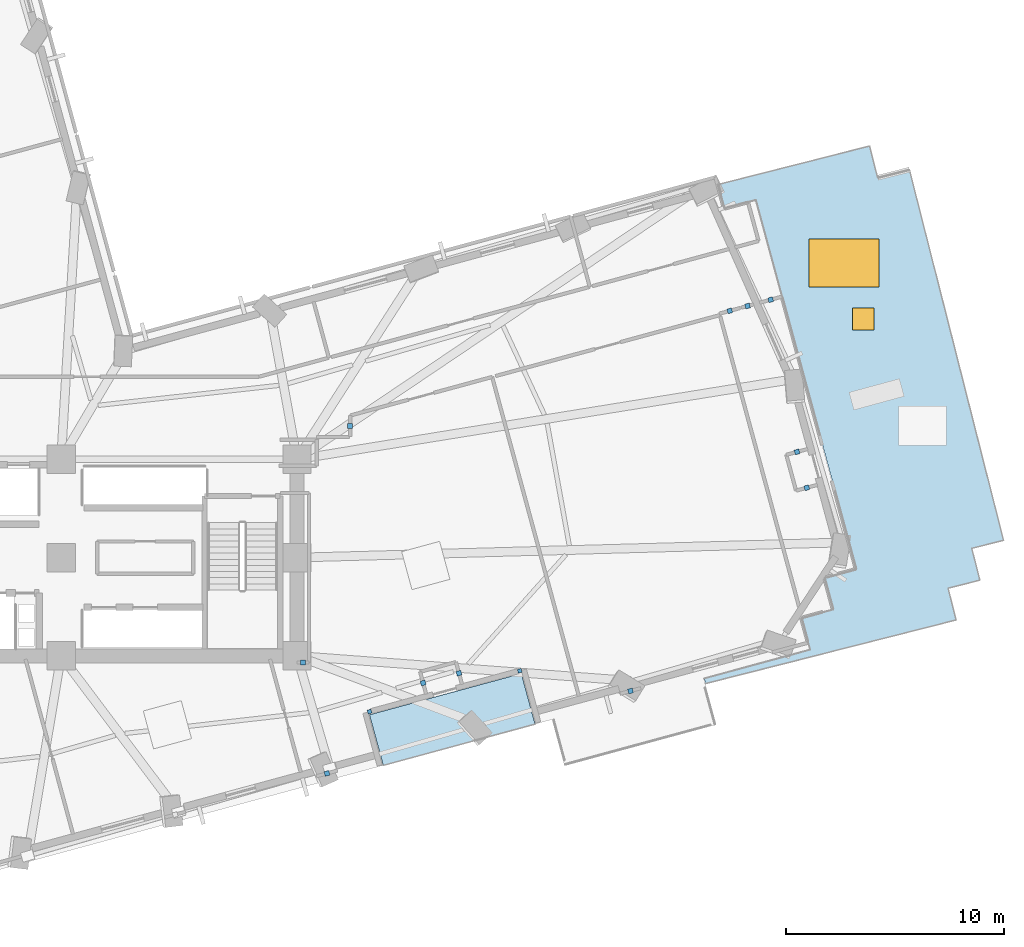
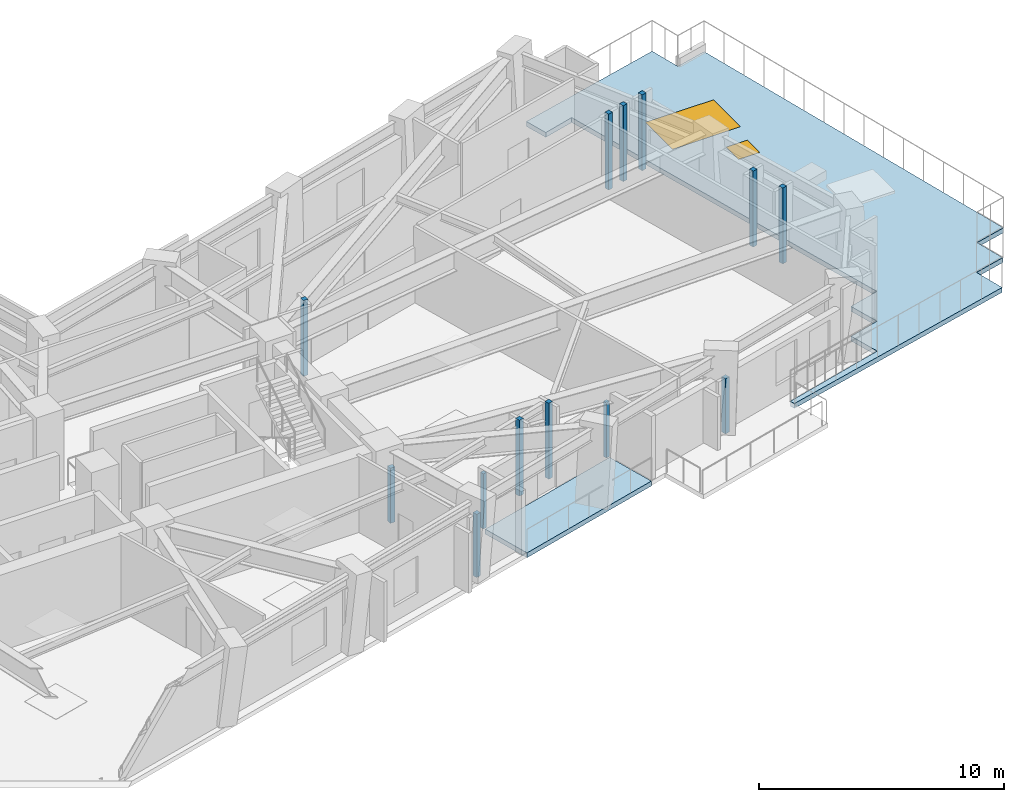
# One storey, part 6 of 15: 13 plates, 2 slabs, 1 door, 1 window, 2 openings.
"""IFC4 building model written with IfcOpenShell, lengths in metres."""

from ifc_helpers import new_model, si_unit, direction, frame, origin, origin_2d, place, context, subcontext, project, spatial, polyline, rectangle, outline, extrude, material, layer, layer_set, type_object, element, fill, save


model = new_model("IFC4")

# Units and contexts
model_context = context("Model", 3, precision=1e-05, world=origin(), true_north=direction((0.0, 1.0)))
body_context = subcontext(model_context, "Body", "Model", "MODEL_VIEW")
ifc_project = project(units=[si_unit("LENGTHUNIT", "METRE"), si_unit("AREAUNIT", "SQUARE_METRE"), si_unit("VOLUMEUNIT", "CUBIC_METRE"), si_unit("PLANEANGLEUNIT", "RADIAN"), si_unit("MASSUNIT", "GRAM", prefix="KILO")], contexts=[model_context])

# Site, building, storey
site_placement = place(None, origin())
site = spatial("IfcSite", under=ifc_project, at=site_placement, CompositionType="ELEMENT")
building_placement = place(site_placement, origin())
building = spatial("IfcBuilding", under=site, at=building_placement, Name="Gaonmaruhae Medical Tower", CompositionType="ELEMENT")
storey_placement = place(building_placement, frame((0.0, 0.0, 88.39990234375)))
storey = spatial("IfcBuildingStorey", under=building, at=storey_placement, Name="L20", CompositionType="ELEMENT", Elevation=88.39990234375)

# Plates
ifc_material_1 = material(Name="Anodised aluminium 6063-T6", Category="aluminium")
ifc_layer_1 = layer(ifc_material_1, 0.011962890625)
ifc_layer_set_1 = layer_set([ifc_layer_1], Name="Anodised aluminium 6063-T6")
plate_type = type_object("IfcPlateType", Name="PP-01 Interior Partition Corner Stiffener Plate", PredefinedType="SHEET", material=ifc_layer_set_1)
for number, where, z_axis, x_axis, name in (
    (1, (45.79150390625, 7.117919921875, 0.0), (0.0, 0.0, 1.0), (-0.965016494472, -0.262189178641, 0.0), "L20 Partition End Jamb Post Plate PLT-L20-ENDP-TERB-0"),
    (2, (38.920654296875, 5.251220703125, 0.0), (0.0, 0.0, 1.0), (-0.965016494472, -0.262189178641, 0.0), "L20 Partition End Jamb Post Plate PLT-L20-ENDP-TERB-1"),
):
    element("IfcPlate", number, at=place(storey_placement, frame(where, z_axis=z_axis, x_axis=x_axis)), inside=storey, type_object=plate_type, Name=name, PredefinedType="SHEET", context=body_context, shape_type="SweptSolid", body=[
        extrude(rectangle(XDim=0.179931640625, YDim=0.179931640625, at=origin_2d()), origin(), (0.0, 0.0, 1.0), 2.7451171875),
    ])
plate_1_placement = place(storey_placement, frame((36.970458984375, 2.4208984375, 0.0), z_axis=(0.0, 0.0, 1.0), x_axis=(-0.96502107039, -0.262172335886, 0.0)))
element("IfcPlate", 3, at=plate_1_placement, inside=storey, type_object=plate_type, Name="L20 Partition Corner Stiffener Plate PLT-L20-JGP-PW016", PredefinedType="SHEET", context=body_context, shape_type="SweptSolid", body=[
    extrude(rectangle(XDim=0.219970703125, YDim=0.219970703125, at=origin_2d()), origin(), (0.0, 0.0, 1.0), 3.14501953125),
])
plate_2_placement = place(storey_placement, frame((35.875, 7.5, 0.0), z_axis=(0.0, 0.0, 1.0), x_axis=(1.0, 0.0, 0.0)))
element("IfcPlate", 4, at=plate_2_placement, inside=storey, type_object=plate_type, Name="L20 Partition Corner Stiffener Plate PLT-L20-JGP-PW017", PredefinedType="SHEET", context=body_context, shape_type="SweptSolid", body=[
    extrude(rectangle(XDim=0.219970703125, YDim=0.219970703125, at=origin_2d()), origin(), (0.0, 0.0, 1.0), 2.7451171875),
])
for number, where, z_axis, x_axis, name in (
    (5, (38.030029296875, 18.325927734375, 0.0), (0.0, 0.0, 1.0), (0.0, 1.0, 0.0), "L20 Partition Corner Stiffener Plate PLT-L20-JGP-PW024"),
    (6, (43.012939453125, 7.008056640625, 0.0), (0.0, 0.0, 1.0), (-0.26166701612, 0.965158211215, 0.0), "L20 Partition Corner Stiffener Plate PLT-L20-JGP-PW027"),
    (7, (41.37255859375, 6.56201171875, 0.0), (0.0, 0.0, 1.0), (0.262559699037, -0.964915749919, 0.0), "L20 Partition Corner Stiffener Plate PLT-L20-JGP-PW029"),
):
    element("IfcPlate", number, at=place(storey_placement, frame(where, z_axis=z_axis, x_axis=x_axis)), inside=storey, type_object=plate_type, Name=name, PredefinedType="SHEET", context=body_context, shape_type="SweptSolid", body=[
        extrude(rectangle(XDim=0.219970703125, YDim=0.219970703125, at=origin_2d()), origin(), (0.0, 0.0, 1.0), 3.780029296875),
    ])
plate_3_placement = place(storey_placement, frame((50.865478515625, 6.195556640625, 0.0), z_axis=(0.0, 0.0, 1.0), x_axis=(-0.965048519721, -0.262071277678, 0.0)))
element("IfcPlate", 8, at=plate_3_placement, inside=storey, type_object=plate_type, Name="L20 Partition Corner Stiffener Plate PLT-L20-JGP-PW031", PredefinedType="SHEET", context=body_context, shape_type="SweptSolid", body=[
    extrude(rectangle(XDim=0.219970703125, YDim=0.219970703125, at=origin_2d()), origin(), (0.0, 0.0, 1.0), 2.7451171875),
])
for number, where, z_axis, x_axis, name in (
    (9, (55.408935546875, 23.595458984375, 0.0), (0.0, 0.0, 1.0), (0.96502107039, 0.262172335886, 0.0), "L20 Partition Corner Stiffener Plate PLT-L20-JGP-PW086"),
    (10, (56.222900390625, 23.81689453125, 0.0), (0.0, 0.0, 1.0), (0.965153644117, 0.261683861269, 0.0), "L20 Partition Corner Stiffener Plate PLT-L20-JGP-PW090"),
    (11, (57.281494140625, 24.1044921875, 0.0), (0.0, 0.0, 1.0), (0.965112527005, 0.26183546402, 0.0), "L20 Partition Corner Stiffener Plate PLT-L20-JGP-PW091"),
    (12, (58.487060546875, 17.137939453125, 0.0), (0.0, 0.0, 1.0), (-0.965080530566, -0.261953372804, 0.0), "L20 Partition Corner Stiffener Plate PLT-L20-JGP-PW093"),
    (13, (58.93310546875, 15.4970703125, 0.0), (0.0, 0.0, 1.0), (0.965080530566, 0.261953372804, 0.0), "L20 Partition Corner Stiffener Plate PLT-L20-JGP-PW095"),
):
    element("IfcPlate", number, at=place(storey_placement, frame(where, z_axis=z_axis, x_axis=x_axis)), inside=storey, type_object=plate_type, Name=name, PredefinedType="SHEET", context=body_context, shape_type="SweptSolid", body=[
        extrude(rectangle(XDim=0.219970703125, YDim=0.219970703125, at=origin_2d()), origin(), (0.0, 0.0, 1.0), 3.780029296875),
    ])

# Slab
ifc_material_2 = material(Name="Concrete C40/50", Category="concrete")
ifc_layer_2 = layer(ifc_material_2, 0.239990234375)
ifc_layer_set_2 = layer_set([ifc_layer_2], Name="Concrete C40/50")
slab_type = type_object("IfcSlabType", Name="TS-240 Sky Garden & Recovery Terrace Slab", PredefinedType="FLOOR", material=ifc_layer_set_2)
slab_1_placement = place(storey_placement, frame((0.0, 0.0, -0.239990234375)))
element("IfcSlab", 14, at=slab_1_placement, inside=storey, type_object=slab_type, Name="L20 Outdoor Recovery Terrace Slab", PredefinedType="FLOOR", context=body_context, shape_type="SweptSolid", body=[
    extrude(outline(polyline([(39.548095703125, 2.78955078125), (46.49609375, 4.67724609375), (45.866943359375, 6.993408203125), (38.918701171875, 5.10546875), (39.548095703125, 2.78955078125)])), origin(), (0.0, 0.0, 1.0), 0.239990234375),
])

# Slab, openings, door, window
slab_2_placement = place(storey_placement, frame((0.0, 0.0, -0.239990234375)))
slab_2 = element("IfcSlab", 15, at=slab_2_placement, inside=storey, type_object=slab_type, Name="L20 Stacked Setback Sky Garden Terrace Slab 1", PredefinedType="FLOOR", context=body_context, shape_type="SweptSolid", body=[
    extrude(outline(polyline([(62.177001953125, 29.6845703125), (63.630859375, 30.0537109375), (67.9384765625, 13.09228515625), (66.484619140625, 12.72314453125), (66.853759765625, 11.269287109375), (65.39990234375, 10.89990234375), (65.769287109375, 9.446044921875), (54.302490234375, 6.533935546875), (54.24072265625, 6.7607421875), (59.095703125, 8.079833984375), (58.702392578125, 9.52734375), (60.14990234375, 9.920654296875), (59.756591796875, 11.3681640625), (61.204345703125, 11.761474609375), (56.60546875, 28.687744140625), (55.157958984375, 28.29443359375), (54.864501953125, 29.375), (61.8076171875, 31.138427734375), (62.177001953125, 29.6845703125)])), origin(), (0.0, 0.0, 1.0), 0.239990234375),
])
opening_1_placement = place(slab_2_placement, frame((60.64501953125, 25.7880859375, 0.0)))
opening_1 = element("IfcOpeningElement", 16, at=opening_1_placement, cuts=slab_2, Name="Opening SK-02", PredefinedType="OPENING", context=body_context, shape_type="SweptSolid", body=[
    extrude(rectangle(XDim=3.199951171875, YDim=2.199951171875, at=origin_2d()), frame((0.0, 0.0, -0.010009765625)), (0.0, 0.0, 1.0), 0.260009765625),
])
opening_2_placement = place(slab_2_placement, frame((61.515869140625, 23.21484375, 0.0)))
opening_2 = element("IfcOpeningElement", 17, at=opening_2_placement, cuts=slab_2, Name="Opening HT-01", PredefinedType="OPENING", context=body_context, shape_type="SweptSolid", body=[
    extrude(rectangle(XDim=1.0, YDim=1.0, at=origin_2d()), frame((0.0, 0.0, -0.010009765625)), (0.0, 0.0, 1.0), 0.260009765625),
])
ifc_material_3 = material(Name="Powder-coated steel access hatch", Category="steel")
door_type = type_object("IfcDoorType", Name="HT-01 Insulated Roof & Terrace Access Hatch 1000x1000", OperationType="NOTDEFINED", PredefinedType="TRAPDOOR", material=ifc_material_3)
door_placement = place(opening_2_placement, frame((0.0, 0.0, 0.199951171875)))
door = element("IfcDoor", 18, at=door_placement, inside=storey, type_object=door_type, Name="L20 Terrace Maintenance Access Hatch SLB-L20-SKYG1", OperationType="SINGLE_SWING_LEFT", OverallHeight=1.0, OverallWidth=1.0, PredefinedType="TRAPDOOR", context=body_context, shape_type="SweptSolid", body=[
    extrude(rectangle(XDim=1.0, YDim=1.0, at=origin_2d()), origin(), (0.0, 0.0, 1.0), 0.0400390625),
])
fill(opening_2, door)
ifc_material_4 = material(Name="Anodised aluminium and Low-E double glazing", Category="aluminium")
window_type = type_object("IfcWindowType", Name="SK-02 Sky Garden Canopy Skylight 3200x2200", PartitioningType="SINGLE_PANEL", PredefinedType="SKYLIGHT", material=ifc_material_4)
window_placement = place(opening_1_placement, frame((0.0, 0.0, 0.199951171875)))
window = element("IfcWindow", 19, at=window_placement, inside=storey, type_object=window_type, Name="L20 Daylighting Skylight SLB-L20-SKYG1", OverallHeight=2.199951171875, OverallWidth=3.199951171875, PartitioningType="SINGLE_PANEL", PredefinedType="SKYLIGHT", context=body_context, shape_type="SweptSolid", body=[
    extrude(rectangle(XDim=3.199951171875, YDim=2.199951171875, at=origin_2d()), origin(), (0.0, 0.0, 1.0), 0.0400390625),
])
fill(opening_1, window)

save(model, "model.ifc")
